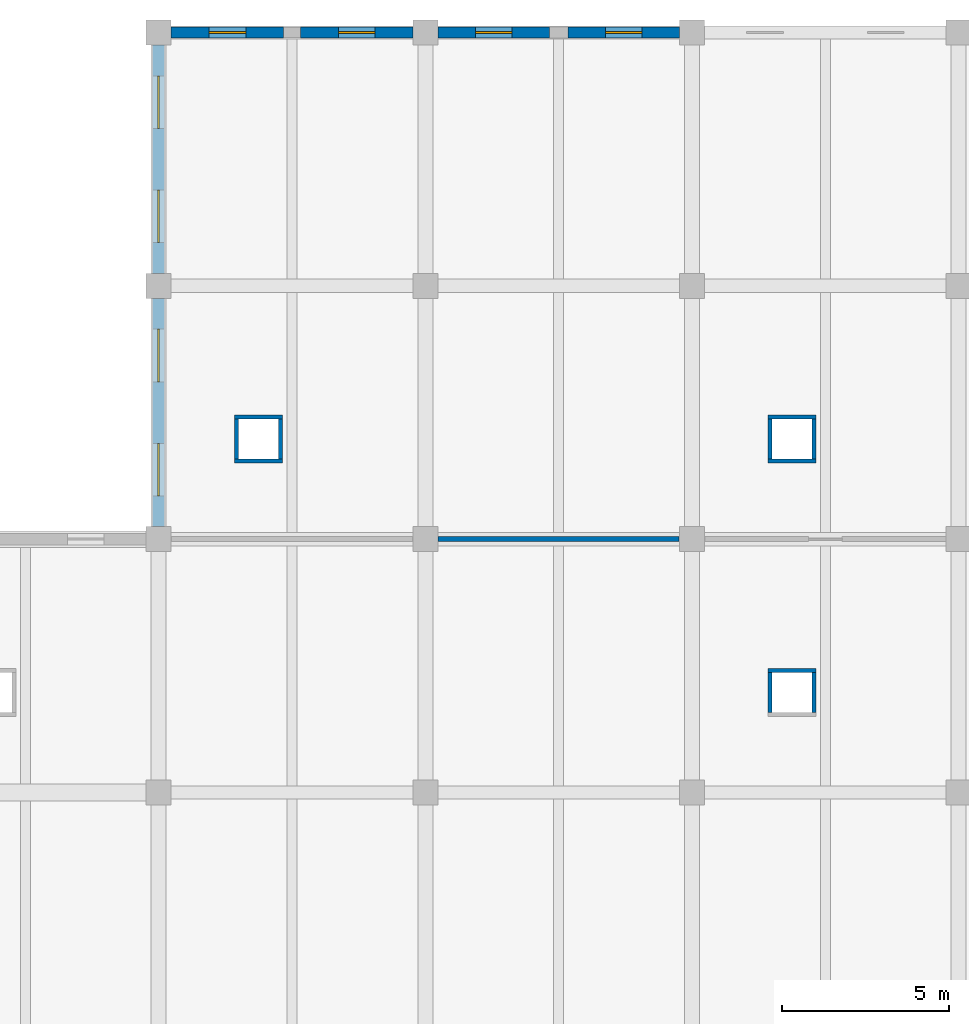
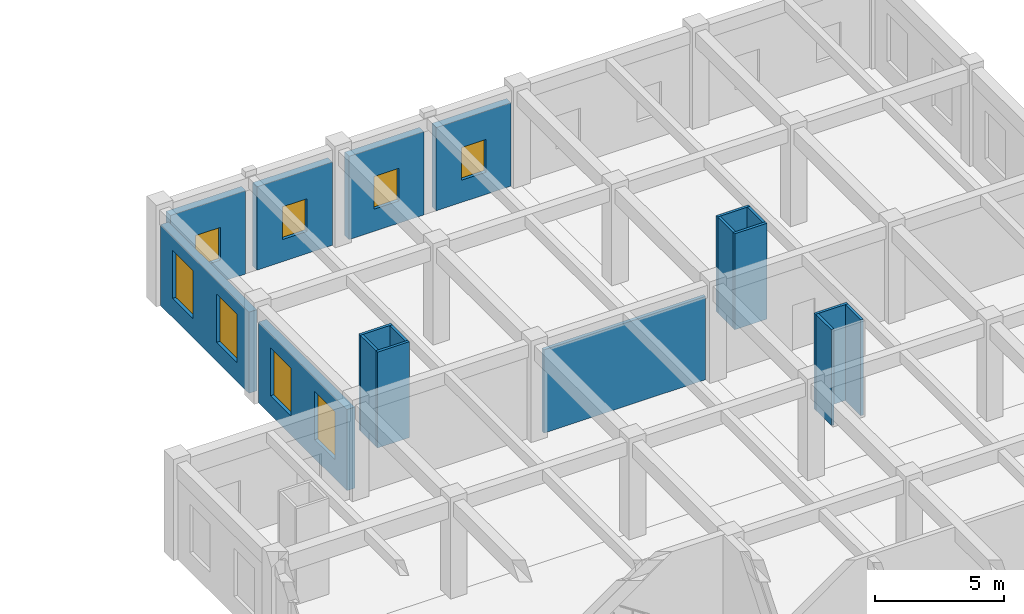
# One storey, part 80 of 101: 18 walls, 8 windows, 8 openings.
"""IFC4 building model written with IfcOpenShell, lengths in metres."""

from ifc_helpers import new_model, si_unit, direction, frame, frame_2d, origin, place, context, subcontext, project, spatial, rectangle, extrude, material, layer, layer_set, type_object, element, fill, save


model = new_model("IFC4")

# Units and contexts
model_context = context("Model", 3, precision=1e-05, world=origin(), true_north=direction((0.0, 1.0)))
body_context = subcontext(model_context, "Body", "Model", "MODEL_VIEW")
ifc_project = project(units=[si_unit("LENGTHUNIT", "METRE"), si_unit("AREAUNIT", "SQUARE_METRE"), si_unit("VOLUMEUNIT", "CUBIC_METRE"), si_unit("PLANEANGLEUNIT", "RADIAN"), si_unit("MASSUNIT", "GRAM", prefix="KILO")], contexts=[model_context])

# Site, building, storey
site_placement = place(None, origin())
site = spatial("IfcSite", under=ifc_project, at=site_placement, CompositionType="ELEMENT")
building_placement = place(site_placement, origin())
building = spatial("IfcBuilding", under=site, at=building_placement, Name="Zantavel Square City Hall", CompositionType="ELEMENT")
storey_placement = place(building_placement, frame((0.0, 0.0, 5.39990234375)))
storey = spatial("IfcBuildingStorey", under=building, at=storey_placement, Name="L02", CompositionType="ELEMENT", Elevation=5.39990234375)

# Wall, openings, windows
ifc_material_1 = material(Name="Cantera volcanic tuff stone", Category="masonry")
ifc_layer_1 = layer(ifc_material_1, 0.360107421875, Name="Cantera volcanic tuff stone")
ifc_layer_set_1 = layer_set([ifc_layer_1], Name="Cantera volcanic tuff stone")
wall_type_1 = type_object("IfcWallType", Name="Courtyard Cantera Facade Wall 360mm", PredefinedType="STANDARD", material=ifc_layer_set_1)
wall_1_placement = place(storey_placement, frame((112.0, 99.175048828125, 0.0), z_axis=(0.0, 0.0, 1.0), x_axis=(0.0, 1.0, 0.0)))
wall_1 = element("IfcWall", 1, at=wall_1_placement, inside=storey, type_object=wall_type_1, Name="L02 Exterior Wall EW-L02-036", PredefinedType="STANDARD", context=body_context, shape_type="SweptSolid", body=[
    extrude(rectangle(XDim=6.849853515625, YDim=0.360107421875, at=frame_2d((3.4248046875, 0.0))), origin(), (0.0, 0.0, 1.0), 3.840087890625),
])
opening_1_placement = place(wall_1_placement, frame((0.922607421875, 0.0, 0.89990234375)))
opening_1 = element("IfcOpeningElement", 2, at=opening_1_placement, cuts=wall_1, Name="Opening W-199", PredefinedType="OPENING", context=body_context, shape_type="SweptSolid", body=[
    extrude(rectangle(XDim=1.580078125, YDim=2.280029296875, at=frame_2d((0.7900390625, 1.14013671875))), frame((0.0, 0.18994140625, 0.0), z_axis=(0.0, -1.0, 0.0), x_axis=(1.0, 0.0, 0.0)), (0.0, 0.0, 1.0), 0.380126953125),
])
opening_2_placement = place(wall_1_placement, frame((4.347412109375, 0.0, 0.89990234375)))
opening_2 = element("IfcOpeningElement", 3, at=opening_2_placement, cuts=wall_1, Name="Opening W-200", PredefinedType="OPENING", context=body_context, shape_type="SweptSolid", body=[
    extrude(rectangle(XDim=1.580078125, YDim=2.280029296875, at=frame_2d((0.7900390625, 1.14013671875))), frame((0.0, 0.18994140625, 0.0), z_axis=(0.0, -1.0, 0.0), x_axis=(1.0, 0.0, 0.0)), (0.0, 0.0, 1.0), 0.380126953125),
])
ifc_material_2 = material(Name="Tempered safety glass low-E double glazing", Category="glass")
window_type_1 = type_object("IfcWindowType", Name="Window Treasury Tall 1580x2280", PartitioningType="DOUBLE_PANEL_VERTICAL", PredefinedType="WINDOW", material=ifc_material_2)
window_1_placement = place(opening_1_placement, origin())
window_1 = element("IfcWindow", 4, at=window_1_placement, inside=storey, type_object=window_type_1, Name="L02 Window W-199", OverallHeight=2.280029296875, OverallWidth=1.580078125, PartitioningType="DOUBLE_PANEL_VERTICAL", PredefinedType="WINDOW", context=body_context, shape_type="SweptSolid", body=[
    extrude(rectangle(XDim=1.580078125, YDim=2.280029296875, at=frame_2d((0.7900390625, 1.14013671875))), frame((0.0, 0.030029296875, 0.0), z_axis=(0.0, -1.0, 0.0), x_axis=(1.0, 0.0, 0.0)), (0.0, 0.0, 1.0), 0.06005859375),
])
fill(opening_1, window_1)
window_2_placement = place(opening_2_placement, origin())
window_2 = element("IfcWindow", 5, at=window_2_placement, inside=storey, type_object=window_type_1, Name="L02 Window W-200", OverallHeight=2.280029296875, OverallWidth=1.580078125, PartitioningType="DOUBLE_PANEL_VERTICAL", PredefinedType="WINDOW", context=body_context, shape_type="SweptSolid", body=[
    extrude(rectangle(XDim=1.580078125, YDim=2.280029296875, at=frame_2d((0.7900390625, 1.14013671875))), frame((0.0, 0.030029296875, 0.0), z_axis=(0.0, -1.0, 0.0), x_axis=(1.0, 0.0, 0.0)), (0.0, 0.0, 1.0), 0.06005859375),
])
fill(opening_2, window_2)

wall_2_placement = place(storey_placement, frame((112.0, 106.77490234375, 0.0), z_axis=(0.0, 0.0, 1.0), x_axis=(0.0, 1.0, 0.0)))
wall_2 = element("IfcWall", 6, at=wall_2_placement, inside=storey, type_object=wall_type_1, Name="L02 Exterior Wall EW-L02-037", PredefinedType="STANDARD", context=body_context, shape_type="SweptSolid", body=[
    extrude(rectangle(XDim=6.85009765625, YDim=0.360107421875, at=frame_2d((3.425048828125, 0.0))), origin(), (0.0, 0.0, 1.0), 3.840087890625),
])
opening_3_placement = place(wall_2_placement, frame((0.922607421875, 0.0, 0.89990234375)))
opening_3 = element("IfcOpeningElement", 7, at=opening_3_placement, cuts=wall_2, Name="Opening W-201", PredefinedType="OPENING", context=body_context, shape_type="SweptSolid", body=[
    extrude(rectangle(XDim=1.580078125, YDim=2.280029296875, at=frame_2d((0.7900390625, 1.14013671875))), frame((0.0, 0.18994140625, 0.0), z_axis=(0.0, -1.0, 0.0), x_axis=(1.0, 0.0, 0.0)), (0.0, 0.0, 1.0), 0.380126953125),
])
opening_4_placement = place(wall_2_placement, frame((4.347412109375, 0.0, 0.89990234375)))
opening_4 = element("IfcOpeningElement", 8, at=opening_4_placement, cuts=wall_2, Name="Opening W-202", PredefinedType="OPENING", context=body_context, shape_type="SweptSolid", body=[
    extrude(rectangle(XDim=1.580078125, YDim=2.280029296875, at=frame_2d((0.7900390625, 1.14013671875))), frame((0.0, 0.18994140625, 0.0), z_axis=(0.0, -1.0, 0.0), x_axis=(1.0, 0.0, 0.0)), (0.0, 0.0, 1.0), 0.380126953125),
])
window_3_placement = place(opening_3_placement, origin())
window_3 = element("IfcWindow", 9, at=window_3_placement, inside=storey, type_object=window_type_1, Name="L02 Window W-201", OverallHeight=2.280029296875, OverallWidth=1.580078125, PartitioningType="DOUBLE_PANEL_VERTICAL", PredefinedType="WINDOW", context=body_context, shape_type="SweptSolid", body=[
    extrude(rectangle(XDim=1.580078125, YDim=2.280029296875, at=frame_2d((0.7900390625, 1.14013671875))), frame((0.0, 0.030029296875, 0.0), z_axis=(0.0, -1.0, 0.0), x_axis=(1.0, 0.0, 0.0)), (0.0, 0.0, 1.0), 0.06005859375),
])
fill(opening_3, window_3)
window_4_placement = place(opening_4_placement, origin())
window_4 = element("IfcWindow", 10, at=window_4_placement, inside=storey, type_object=window_type_1, Name="L02 Window W-202", OverallHeight=2.280029296875, OverallWidth=1.580078125, PartitioningType="DOUBLE_PANEL_VERTICAL", PredefinedType="WINDOW", context=body_context, shape_type="SweptSolid", body=[
    extrude(rectangle(XDim=1.580078125, YDim=2.280029296875, at=frame_2d((0.7900390625, 1.14013671875))), frame((0.0, 0.030029296875, 0.0), z_axis=(0.0, -1.0, 0.0), x_axis=(1.0, 0.0, 0.0)), (0.0, 0.0, 1.0), 0.06005859375),
])
fill(opening_4, window_4)

# Wall
ifc_material_3 = material(Name="Gypsum acoustic stud assembly", Category="masonry")
ifc_layer_2 = layer(ifc_material_3, 0.14990234375, Name="Gypsum acoustic stud assembly")
ifc_layer_set_2 = layer_set([ifc_layer_2], Name="Gypsum acoustic stud assembly")
wall_type_2 = type_object("IfcWallType", Name="Department Office Partition 150mm", PredefinedType="PARTITIONING", material=ifc_layer_set_2)
wall_3_placement = place(storey_placement, frame((120.385009765625, 98.800048828125, 0.0), z_axis=(0.0, 0.0, 1.0), x_axis=(1.0, 0.0, 0.0)))
element("IfcWall", 11, at=wall_3_placement, inside=storey, type_object=wall_type_2, Name="L02 Interior Wall IW-L02-0213", PredefinedType="PARTITIONING", context=body_context, shape_type="SweptSolid", body=[
    extrude(rectangle(XDim=7.22998046875, YDim=0.14990234375, at=frame_2d((3.614990234375, 0.0))), origin(), (0.0, 0.0, 1.0), 3.940185546875),
])

# Wall, opening, window
ifc_layer_3 = layer(ifc_material_1, 0.340087890625, Name="Cantera volcanic tuff stone")
ifc_layer_set_3 = layer_set([ifc_layer_3], Name="Cantera volcanic tuff stone")
wall_type_3 = type_object("IfcWallType", Name="North Insulated Cantera Wall 340mm", PredefinedType="STANDARD", material=ifc_layer_set_3)
wall_4_placement = place(storey_placement, frame((112.375, 114.0, 0.0), z_axis=(0.0, 0.0, 1.0), x_axis=(1.0, 0.0, 0.0)))
wall_4 = element("IfcWall", 12, at=wall_4_placement, inside=storey, type_object=wall_type_3, Name="L02 Exterior Wall EW-L02-038", PredefinedType="STANDARD", context=body_context, shape_type="SweptSolid", body=[
    extrude(rectangle(XDim=3.375, YDim=0.340087890625, at=frame_2d((1.6875, 0.0))), origin(), (0.0, 0.0, 1.0), 3.940185546875),
])
opening_5_placement = place(wall_4_placement, frame((1.137451171875, 0.0, 1.050048828125)))
opening_5 = element("IfcOpeningElement", 13, at=opening_5_placement, cuts=wall_4, Name="Opening W-203", PredefinedType="OPENING", context=body_context, shape_type="SweptSolid", body=[
    extrude(rectangle(XDim=1.10009765625, YDim=1.550048828125, at=frame_2d((0.550048828125, 0.77490234375))), frame((0.0, 0.179931640625, 0.0), z_axis=(0.0, -1.0, 0.0), x_axis=(1.0, 0.0, 0.0)), (0.0, 0.0, 1.0), 0.360107421875),
])
window_type_2 = type_object("IfcWindowType", Name="Window Mezzanine North 1100x1550", PartitioningType="SINGLE_PANEL", PredefinedType="WINDOW", material=ifc_material_2)
window_5_placement = place(opening_5_placement, origin())
window_5 = element("IfcWindow", 14, at=window_5_placement, inside=storey, type_object=window_type_2, Name="L02 Window W-203", OverallHeight=1.550048828125, OverallWidth=1.10009765625, PartitioningType="SINGLE_PANEL", PredefinedType="WINDOW", context=body_context, shape_type="SweptSolid", body=[
    extrude(rectangle(XDim=1.10009765625, YDim=1.550048828125, at=frame_2d((0.550048828125, 0.77490234375))), frame((0.0, 0.030029296875, 0.0), z_axis=(0.0, -1.0, 0.0), x_axis=(1.0, 0.0, 0.0)), (0.0, 0.0, 1.0), 0.06005859375),
])
fill(opening_5, window_5)

wall_5_placement = place(storey_placement, frame((116.25, 114.0, 0.0), z_axis=(0.0, 0.0, 1.0), x_axis=(1.0, 0.0, 0.0)))
wall_5 = element("IfcWall", 15, at=wall_5_placement, inside=storey, type_object=wall_type_3, Name="L02 Exterior Wall EW-L02-039", PredefinedType="STANDARD", context=body_context, shape_type="SweptSolid", body=[
    extrude(rectangle(XDim=3.375, YDim=0.340087890625, at=frame_2d((1.6875, 0.0))), origin(), (0.0, 0.0, 1.0), 3.940185546875),
])
opening_6_placement = place(wall_5_placement, frame((1.137451171875, 0.0, 1.050048828125)))
opening_6 = element("IfcOpeningElement", 16, at=opening_6_placement, cuts=wall_5, Name="Opening W-204", PredefinedType="OPENING", context=body_context, shape_type="SweptSolid", body=[
    extrude(rectangle(XDim=1.10009765625, YDim=1.550048828125, at=frame_2d((0.550048828125, 0.77490234375))), frame((0.0, 0.179931640625, 0.0), z_axis=(0.0, -1.0, 0.0), x_axis=(1.0, 0.0, 0.0)), (0.0, 0.0, 1.0), 0.360107421875),
])
window_6_placement = place(opening_6_placement, origin())
window_6 = element("IfcWindow", 17, at=window_6_placement, inside=storey, type_object=window_type_2, Name="L02 Window W-204", OverallHeight=1.550048828125, OverallWidth=1.10009765625, PartitioningType="SINGLE_PANEL", PredefinedType="WINDOW", context=body_context, shape_type="SweptSolid", body=[
    extrude(rectangle(XDim=1.10009765625, YDim=1.550048828125, at=frame_2d((0.550048828125, 0.77490234375))), frame((0.0, 0.030029296875, 0.0), z_axis=(0.0, -1.0, 0.0), x_axis=(1.0, 0.0, 0.0)), (0.0, 0.0, 1.0), 0.06005859375),
])
fill(opening_6, window_6)

wall_6_placement = place(storey_placement, frame((120.375, 114.0, 0.0), z_axis=(0.0, 0.0, 1.0), x_axis=(1.0, 0.0, 0.0)))
wall_6 = element("IfcWall", 18, at=wall_6_placement, inside=storey, type_object=wall_type_3, Name="L02 Exterior Wall EW-L02-040", PredefinedType="STANDARD", context=body_context, shape_type="SweptSolid", body=[
    extrude(rectangle(XDim=3.35009765625, YDim=0.340087890625, at=frame_2d((1.675048828125, 0.0))), origin(), (0.0, 0.0, 1.0), 3.940185546875),
])
opening_7_placement = place(wall_6_placement, frame((1.125, 0.0, 1.050048828125)))
opening_7 = element("IfcOpeningElement", 19, at=opening_7_placement, cuts=wall_6, Name="Opening W-205", PredefinedType="OPENING", context=body_context, shape_type="SweptSolid", body=[
    extrude(rectangle(XDim=1.10009765625, YDim=1.550048828125, at=frame_2d((0.550048828125, 0.77490234375))), frame((0.0, 0.179931640625, 0.0), z_axis=(0.0, -1.0, 0.0), x_axis=(1.0, 0.0, 0.0)), (0.0, 0.0, 1.0), 0.360107421875),
])
window_7_placement = place(opening_7_placement, origin())
window_7 = element("IfcWindow", 20, at=window_7_placement, inside=storey, type_object=window_type_2, Name="L02 Window W-205", OverallHeight=1.550048828125, OverallWidth=1.10009765625, PartitioningType="SINGLE_PANEL", PredefinedType="WINDOW", context=body_context, shape_type="SweptSolid", body=[
    extrude(rectangle(XDim=1.10009765625, YDim=1.550048828125, at=frame_2d((0.550048828125, 0.77490234375))), frame((0.0, 0.030029296875, 0.0), z_axis=(0.0, -1.0, 0.0), x_axis=(1.0, 0.0, 0.0)), (0.0, 0.0, 1.0), 0.06005859375),
])
fill(opening_7, window_7)

wall_7_placement = place(storey_placement, frame((124.27490234375, 114.0, 0.0), z_axis=(0.0, 0.0, 1.0), x_axis=(1.0, 0.0, 0.0)))
wall_7 = element("IfcWall", 21, at=wall_7_placement, inside=storey, type_object=wall_type_3, Name="L02 Exterior Wall EW-L02-041", PredefinedType="STANDARD", context=body_context, shape_type="SweptSolid", body=[
    extrude(rectangle(XDim=3.35009765625, YDim=0.340087890625, at=frame_2d((1.675048828125, 0.0))), origin(), (0.0, 0.0, 1.0), 3.940185546875),
])
opening_8_placement = place(wall_7_placement, frame((1.125, 0.0, 1.050048828125)))
opening_8 = element("IfcOpeningElement", 22, at=opening_8_placement, cuts=wall_7, Name="Opening W-206", PredefinedType="OPENING", context=body_context, shape_type="SweptSolid", body=[
    extrude(rectangle(XDim=1.10009765625, YDim=1.550048828125, at=frame_2d((0.550048828125, 0.77490234375))), frame((0.0, 0.179931640625, 0.0), z_axis=(0.0, -1.0, 0.0), x_axis=(1.0, 0.0, 0.0)), (0.0, 0.0, 1.0), 0.360107421875),
])
window_8_placement = place(opening_8_placement, origin())
window_8 = element("IfcWindow", 23, at=window_8_placement, inside=storey, type_object=window_type_2, Name="L02 Window W-206", OverallHeight=1.550048828125, OverallWidth=1.10009765625, PartitioningType="SINGLE_PANEL", PredefinedType="WINDOW", context=body_context, shape_type="SweptSolid", body=[
    extrude(rectangle(XDim=1.10009765625, YDim=1.550048828125, at=frame_2d((0.550048828125, 0.77490234375))), frame((0.0, 0.030029296875, 0.0), z_axis=(0.0, -1.0, 0.0), x_axis=(1.0, 0.0, 0.0)), (0.0, 0.0, 1.0), 0.06005859375),
])
fill(opening_8, window_8)

# Walls
ifc_material_4 = material(Name="Concrete C35/45", Category="concrete")
ifc_layer_4 = layer(ifc_material_4, 0.1201171875, Name="Concrete C35/45")
ifc_layer_set_4 = layer_set([ifc_layer_4], Name="Concrete C35/45")
wall_type_4 = type_object("IfcWallType", Name="Riser Chase Wall RC 120mm C35/45", PredefinedType="PARTITIONING", material=ifc_layer_set_4)
wall_8_placement = place(storey_placement, frame((130.340087890625, 93.60009765625, 0.0), z_axis=(0.0, 0.0, 1.0), x_axis=(0.0, 1.0, 0.0)))
element("IfcWall", 24, at=wall_8_placement, inside=storey, type_object=wall_type_4, Name="L02 MEP Riser 19 Wall W", PredefinedType="PARTITIONING", context=body_context, shape_type="SweptSolid", body=[
    extrude(rectangle(XDim=1.199951171875, YDim=0.1201171875, at=frame_2d((0.60009765625, 0.0))), origin(), (0.0, 0.0, 1.0), 4.5400390625),
])
wall_9_placement = place(storey_placement, frame((130.280029296875, 94.860107421875, 0.0), z_axis=(0.0, 0.0, 1.0), x_axis=(1.0, 0.0, 0.0)))
element("IfcWall", 25, at=wall_9_placement, inside=storey, type_object=wall_type_4, Name="L02 MEP Riser 19 Wall N", PredefinedType="PARTITIONING", context=body_context, shape_type="SweptSolid", body=[
    extrude(rectangle(XDim=1.43994140625, YDim=0.1201171875, at=frame_2d((0.719970703125, 0.0))), origin(), (0.0, 0.0, 1.0), 4.5400390625),
])
wall_10_placement = place(storey_placement, frame((131.659912109375, 94.800048828125, 0.0), z_axis=(0.0, 0.0, 1.0), x_axis=(0.0, -1.0, 0.0)))
element("IfcWall", 26, at=wall_10_placement, inside=storey, type_object=wall_type_4, Name="L02 MEP Riser 19 Wall E", PredefinedType="PARTITIONING", context=body_context, shape_type="SweptSolid", body=[
    extrude(rectangle(XDim=1.199951171875, YDim=0.1201171875, at=frame_2d((0.60009765625, 0.0))), origin(), (0.0, 0.0, 1.0), 4.5400390625),
])
wall_11_placement = place(storey_placement, frame((115.719970703125, 101.139892578125, 0.0), z_axis=(0.0, 0.0, 1.0), x_axis=(-1.0, 0.0, 0.0)))
element("IfcWall", 27, at=wall_11_placement, inside=storey, type_object=wall_type_4, Name="L02 MEP Riser 20 Wall S", PredefinedType="PARTITIONING", context=body_context, shape_type="SweptSolid", body=[
    extrude(rectangle(XDim=1.43994140625, YDim=0.1201171875, at=frame_2d((0.719970703125, 0.0))), origin(), (0.0, 0.0, 1.0), 4.5400390625),
])
wall_12_placement = place(storey_placement, frame((114.340087890625, 101.199951171875, 0.0), z_axis=(0.0, 0.0, 1.0), x_axis=(0.0, 1.0, 0.0)))
element("IfcWall", 28, at=wall_12_placement, inside=storey, type_object=wall_type_4, Name="L02 MEP Riser 20 Wall W", PredefinedType="PARTITIONING", context=body_context, shape_type="SweptSolid", body=[
    extrude(rectangle(XDim=1.199951171875, YDim=0.1201171875, at=frame_2d((0.60009765625, 0.0))), origin(), (0.0, 0.0, 1.0), 4.5400390625),
])
wall_13_placement = place(storey_placement, frame((114.280029296875, 102.4599609375, 0.0), z_axis=(0.0, 0.0, 1.0), x_axis=(1.0, 0.0, 0.0)))
element("IfcWall", 29, at=wall_13_placement, inside=storey, type_object=wall_type_4, Name="L02 MEP Riser 20 Wall N", PredefinedType="PARTITIONING", context=body_context, shape_type="SweptSolid", body=[
    extrude(rectangle(XDim=1.43994140625, YDim=0.1201171875, at=frame_2d((0.719970703125, 0.0))), origin(), (0.0, 0.0, 1.0), 4.5400390625),
])
wall_14_placement = place(storey_placement, frame((115.659912109375, 102.39990234375, 0.0), z_axis=(0.0, 0.0, 1.0), x_axis=(0.0, -1.0, 0.0)))
element("IfcWall", 30, at=wall_14_placement, inside=storey, type_object=wall_type_4, Name="L02 MEP Riser 20 Wall E", PredefinedType="PARTITIONING", context=body_context, shape_type="SweptSolid", body=[
    extrude(rectangle(XDim=1.199951171875, YDim=0.1201171875, at=frame_2d((0.60009765625, 0.0))), origin(), (0.0, 0.0, 1.0), 4.5400390625),
])
wall_15_placement = place(storey_placement, frame((131.719970703125, 101.139892578125, 0.0), z_axis=(0.0, 0.0, 1.0), x_axis=(-1.0, 0.0, 0.0)))
element("IfcWall", 31, at=wall_15_placement, inside=storey, type_object=wall_type_4, Name="L02 MEP Riser 21 Wall S", PredefinedType="PARTITIONING", context=body_context, shape_type="SweptSolid", body=[
    extrude(rectangle(XDim=1.43994140625, YDim=0.1201171875, at=frame_2d((0.719970703125, 0.0))), origin(), (0.0, 0.0, 1.0), 4.5400390625),
])
wall_16_placement = place(storey_placement, frame((130.340087890625, 101.199951171875, 0.0), z_axis=(0.0, 0.0, 1.0), x_axis=(0.0, 1.0, 0.0)))
element("IfcWall", 32, at=wall_16_placement, inside=storey, type_object=wall_type_4, Name="L02 MEP Riser 21 Wall W", PredefinedType="PARTITIONING", context=body_context, shape_type="SweptSolid", body=[
    extrude(rectangle(XDim=1.199951171875, YDim=0.1201171875, at=frame_2d((0.60009765625, 0.0))), origin(), (0.0, 0.0, 1.0), 4.5400390625),
])
wall_17_placement = place(storey_placement, frame((130.280029296875, 102.4599609375, 0.0), z_axis=(0.0, 0.0, 1.0), x_axis=(1.0, 0.0, 0.0)))
element("IfcWall", 33, at=wall_17_placement, inside=storey, type_object=wall_type_4, Name="L02 MEP Riser 21 Wall N", PredefinedType="PARTITIONING", context=body_context, shape_type="SweptSolid", body=[
    extrude(rectangle(XDim=1.43994140625, YDim=0.1201171875, at=frame_2d((0.719970703125, 0.0))), origin(), (0.0, 0.0, 1.0), 4.5400390625),
])
wall_18_placement = place(storey_placement, frame((131.659912109375, 102.39990234375, 0.0), z_axis=(0.0, 0.0, 1.0), x_axis=(0.0, -1.0, 0.0)))
element("IfcWall", 34, at=wall_18_placement, inside=storey, type_object=wall_type_4, Name="L02 MEP Riser 21 Wall E", PredefinedType="PARTITIONING", context=body_context, shape_type="SweptSolid", body=[
    extrude(rectangle(XDim=1.199951171875, YDim=0.1201171875, at=frame_2d((0.60009765625, 0.0))), origin(), (0.0, 0.0, 1.0), 4.5400390625),
])

save(model, "model.ifc")
